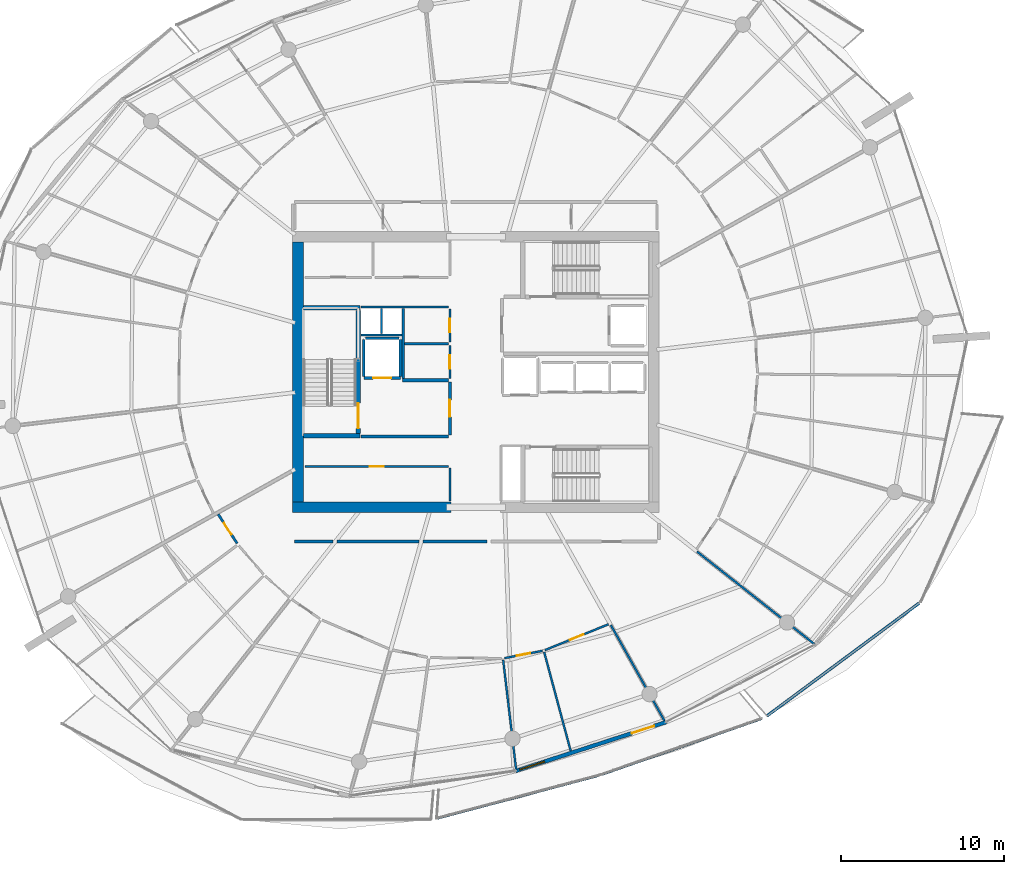
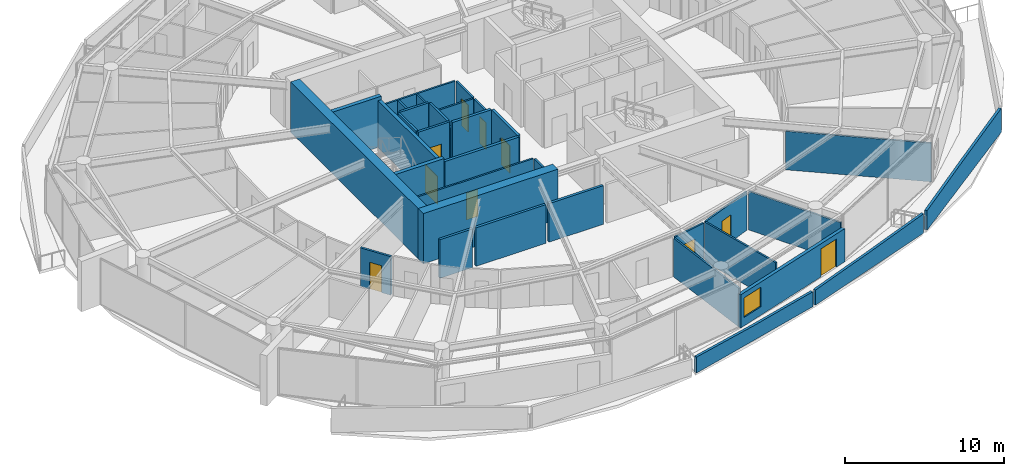
# One storey, part 19 of 31: 35 walls, 10 doors, 1 window, 11 openings.
"""IFC4 building model written with IfcOpenShell, lengths in metres."""

from ifc_helpers import new_model, si_unit, direction, frame, frame_2d, origin, place, context, subcontext, project, spatial, polyline, rectangle, outline, extrude, material, layer, layer_set, type_object, element, fill, save


model = new_model("IFC4")

# Units and contexts
model_context = context("Model", 3, precision=1e-05, world=origin(), true_north=direction((0.0, 1.0)))
body_context = subcontext(model_context, "Body", "Model", "MODEL_VIEW")
ifc_project = project(units=[si_unit("LENGTHUNIT", "METRE"), si_unit("AREAUNIT", "SQUARE_METRE"), si_unit("VOLUMEUNIT", "CUBIC_METRE"), si_unit("PLANEANGLEUNIT", "RADIAN"), si_unit("MASSUNIT", "GRAM", prefix="KILO")], contexts=[model_context])

# Site, building, storey
site_placement = place(None, origin())
site = spatial("IfcSite", under=ifc_project, at=site_placement, CompositionType="ELEMENT")
building_placement = place(site_placement, origin())
building = spatial("IfcBuilding", under=site, at=building_placement, Name="Kazma Halo Residences", CompositionType="ELEMENT")
storey_placement = place(building_placement, frame((0.0, 0.0, 248.25)))
storey = spatial("IfcBuildingStorey", under=building, at=storey_placement, Name="L62", CompositionType="ELEMENT", Elevation=248.25)

# Walls
ifc_material_1 = material(Name="White Concrete C50/60 Balustrade", Category="concrete")
ifc_layer_1 = layer(ifc_material_1, 0.179931640625)
ifc_layer_set_1 = layer_set([ifc_layer_1], Name="White Concrete C50/60 Balustrade")
wall_type_1 = type_object("IfcWallType", Name="WL-BAL-WAVE-180", PredefinedType="PARAPET", material=ifc_layer_set_1)
wall_1_placement = place(storey_placement, frame((46.006591796875, 14.52734375, 0.0), z_axis=(0.0, 0.0, 1.0), x_axis=(0.96657188746, 0.256395761219, 0.0)))
element("IfcWall", 1, at=wall_1_placement, inside=storey, type_object=wall_type_1, Name="L62 white wave balustrade wall SSE.1", PredefinedType="PARAPET", context=body_context, shape_type="SweptSolid", body=[
    extrude(outline(polyline([(0.0, 0.0), (10.281005859375, 0.0), (10.281005859375, 1.14794921875), (5.140380859375, 1.126953125), (0.0, 1.22412109375), (0.0, 0.0)])), frame((0.0, 0.08984375, 0.0), z_axis=(0.0, -1.0, 0.0), x_axis=(1.0, 0.0, 0.0)), (0.0, 0.0, 1.0), 0.179931640625),
])
wall_2_placement = place(storey_placement, frame((56.173095703125, 17.23388671875, 0.0), z_axis=(0.0, 0.0, 1.0), x_axis=(0.944003849273, 0.329934436757, 0.0)))
element("IfcWall", 2, at=wall_2_placement, inside=storey, type_object=wall_type_1, Name="L62 white wave balustrade wall SSE.2", PredefinedType="PARAPET", context=body_context, shape_type="SweptSolid", body=[
    extrude(outline(polyline([(0.0, 0.0), (10.405517578125, 0.0), (10.405517578125, 1.48291015625), (5.20263671875, 1.283935546875), (0.0, 1.14794921875), (0.0, 0.0)])), frame((0.0, 0.08984375, 0.0), z_axis=(0.0, -1.0, 0.0), x_axis=(1.0, 0.0, 0.0)), (0.0, 0.0, 1.0), 0.179931640625),
])
wall_3_placement = place(storey_placement, frame((66.318603515625, 20.815185546875, 0.0), z_axis=(0.0, 0.0, 1.0), x_axis=(0.803330402034, 0.59553359701, 0.0)))
element("IfcWall", 3, at=wall_3_placement, inside=storey, type_object=wall_type_1, Name="L62 white wave balustrade wall SE.1", PredefinedType="PARAPET", context=body_context, shape_type="SweptSolid", body=[
    extrude(outline(polyline([(0.0, 0.0), (11.673828125, 0.0), (11.673828125, 1.83203125), (5.8369140625, 1.696044921875), (0.0, 1.4970703125), (0.0, 0.0)])), frame((0.0, 0.08984375, 0.0), z_axis=(0.0, -1.0, 0.0), x_axis=(1.0, 0.0, 0.0)), (0.0, 0.0, 1.0), 0.179931640625),
])
ifc_material_2 = material(Name="Concrete C60/75", Category="concrete")
ifc_layer_2 = layer(ifc_material_2, 0.64990234375)
ifc_layer_set_2 = layer_set([ifc_layer_2], Name="Concrete C60/75")
wall_type_2 = type_object("IfcWallType", Name="WL-CORE-650", PredefinedType="SHEAR", material=ifc_layer_set_2)
wall_4_placement = place(storey_placement, frame((37.14990234375, 33.675048828125, 0.0), z_axis=(0.0, 0.0, 1.0), x_axis=(1.0, 0.0, 0.0)))
element("IfcWall", 4, at=wall_4_placement, inside=storey, type_object=wall_type_2, Name="L62 central core shear wall SW", PredefinedType="SHEAR", context=body_context, shape_type="SweptSolid", body=[
    extrude(rectangle(XDim=9.75, YDim=0.64990234375, at=frame_2d((4.875, 0.0))), origin(), (0.0, 0.0, 1.0), 3.85009765625),
])
wall_5_placement = place(storey_placement, frame((37.47509765625, 34.0, 0.0), z_axis=(0.0, 0.0, 1.0), x_axis=(0.0, 1.0, 0.0)))
element("IfcWall", 5, at=wall_5_placement, inside=storey, type_object=wall_type_2, Name="L62 central core shear wall W", PredefinedType="SHEAR", context=body_context, shape_type="SweptSolid", body=[
    extrude(rectangle(XDim=16.0, YDim=0.64990234375, at=frame_2d((8.0, 0.0))), origin(), (0.0, 0.0, 1.0), 3.85009765625),
])
ifc_layer_3 = layer(ifc_material_2, 0.280029296875)
ifc_layer_set_3 = layer_set([ifc_layer_3], Name="Concrete C60/75")
wall_type_3 = type_object("IfcWallType", Name="WL-CORE-ST-280", PredefinedType="SHEAR", material=ifc_layer_set_3)
for number, where, z_axis, x_axis, name in (
    (6, (37.800048828125, 38.06005859375, 0.0), (0.0, 0.0, 1.0), (1.0, 0.0, 0.0), "L62 stairwell bearing wall ST01-S"),
    (7, (37.800048828125, 45.93994140625, 0.0), (0.0, 0.0, 1.0), (1.0, 0.0, 0.0), "L62 stairwell bearing wall ST01-N"),
):
    element("IfcWall", number, at=place(storey_placement, frame(where, z_axis=z_axis, x_axis=x_axis)), inside=storey, type_object=wall_type_3, Name=name, PredefinedType="SHEAR", context=body_context, shape_type="SweptSolid", body=[
        extrude(rectangle(XDim=3.5, YDim=0.280029296875, at=frame_2d((1.75, 0.0))), origin(), (0.0, 0.0, 1.0), 3.85009765625),
    ])
ifc_material_3 = material(Name="Acoustic Twin-Stud Gypsum")
ifc_layer_4 = layer(ifc_material_3, 0.179931640625)
ifc_layer_set_4 = layer_set([ifc_layer_4], Name="Acoustic Twin-Stud Gypsum")
wall_type_4 = type_object("IfcWallType", Name="WL-DEM-180", PredefinedType="PARTITIONING", material=ifc_layer_set_4)
wall_6_placement = place(storey_placement, frame((37.27001953125, 31.550048828125, 0.0), z_axis=(0.0, 0.0, 1.0), x_axis=(1.0, 0.0, 0.0)))
element("IfcWall", 8, at=wall_6_placement, inside=storey, type_object=wall_type_4, Name="L62 Apartment 2 inner wall 8", PredefinedType="PARTITIONING", context=body_context, shape_type="SweptSolid", body=[
    extrude(rectangle(XDim=2.371826171875, YDim=0.179931640625, at=frame_2d((1.18603515625, 0.0))), origin(), (0.0, 0.0, 1.0), 2.95703125),
])
wall_7_placement = place(storey_placement, frame((39.8818359375, 31.550048828125, 0.0), z_axis=(0.0, 0.0, 1.0), x_axis=(1.0, 0.0, 0.0)))
element("IfcWall", 9, at=wall_7_placement, inside=storey, type_object=wall_type_4, Name="L62 Apartment 2 inner wall 9", PredefinedType="PARTITIONING", context=body_context, shape_type="SweptSolid", body=[
    extrude(rectangle(XDim=5.051025390625, YDim=0.179931640625, at=frame_2d((2.525390625, 0.0))), origin(), (0.0, 0.0, 1.0), 2.95703125),
])
wall_8_placement = place(storey_placement, frame((45.1728515625, 31.550048828125, 0.0), z_axis=(0.0, 0.0, 1.0), x_axis=(1.0, 0.0, 0.0)))
element("IfcWall", 10, at=wall_8_placement, inside=storey, type_object=wall_type_4, Name="L62 Apartment 2 inner wall 10", PredefinedType="PARTITIONING", context=body_context, shape_type="SweptSolid", body=[
    extrude(rectangle(XDim=3.94384765625, YDim=0.179931640625, at=frame_2d((1.971923828125, 0.0))), origin(), (0.0, 0.0, 1.0), 2.95703125),
])

# Wall, openings, door, window
ifc_material_4 = material(Name="Insulated Pale-Metal Composite Wall")
ifc_layer_5 = layer(ifc_material_4, 0.239990234375)
ifc_layer_set_5 = layer_set([ifc_layer_5], Name="Insulated Pale-Metal Composite Wall")
wall_type_5 = type_object("IfcWallType", Name="WL-EXT-HOST-240", PredefinedType="SOLIDWALL", material=ifc_layer_set_5)
wall_9_placement = place(storey_placement, frame((50.85791015625, 17.436279296875, 0.0), z_axis=(0.0, 0.0, 1.0), x_axis=(0.951055974609, 0.309018661507, 0.0)))
wall_9 = element("IfcWall", 11, at=wall_9_placement, inside=storey, type_object=wall_type_5, Name="L62 exterior terrace-access wall B12", PredefinedType="SOLIDWALL", context=body_context, shape_type="SweptSolid", body=[
    extrude(rectangle(XDim=9.745361328125, YDim=0.239990234375, at=frame_2d((4.87255859375, 0.0))), origin(), (0.0, 0.0, 1.0), 2.5400390625),
])
opening_1_placement = place(wall_9_placement, frame((7.525390625, 0.0, 0.0)))
opening_1 = element("IfcOpeningElement", 12, at=opening_1_placement, cuts=wall_9, Name="Opening DTR-1600", PredefinedType="OPENING", context=body_context, shape_type="SweptSolid", body=[
    extrude(rectangle(XDim=1.449951171875, YDim=2.14990234375, at=frame_2d((0.72509765625, 1.074951171875))), frame((0.0, 0.1298828125, 0.0), z_axis=(0.0, -1.0, 0.0), x_axis=(1.0, 0.0, 0.0)), (0.0, 0.0, 1.0), 0.260009765625),
])
opening_2_placement = place(wall_9_placement, frame((0.280029296875, 0.0, 0.64990234375)))
opening_2 = element("IfcOpeningElement", 13, at=opening_2_placement, cuts=wall_9, Name="Opening W-1800", PredefinedType="OPENING", context=body_context, shape_type="SweptSolid", body=[
    extrude(rectangle(XDim=1.60009765625, YDim=1.5, at=frame_2d((0.800048828125, 0.75))), frame((0.0, 0.1298828125, 0.0), z_axis=(0.0, -1.0, 0.0), x_axis=(1.0, 0.0, 0.0)), (0.0, 0.0, 1.0), 0.260009765625),
])
ifc_material_5 = material(Name="Aluminium AW-6063 T6 Double-Glazed Terrace Door", Category="aluminium")
door_type_1 = type_object("IfcDoorType", Name="DR-EXT-TERR-1600", OperationType="NOTDEFINED", PredefinedType="DOOR", material=ifc_material_5)
door_1_placement = place(opening_1_placement, origin())
door_1 = element("IfcDoor", 14, at=door_1_placement, inside=storey, type_object=door_type_1, Name="L62 B12 balcony terrace door", OperationType="DOUBLE_DOOR_SLIDING", OverallHeight=2.14990234375, OverallWidth=1.449951171875, PredefinedType="DOOR", context=body_context, shape_type="SweptSolid", body=[
    extrude(rectangle(XDim=1.449951171875, YDim=2.14990234375, at=frame_2d((0.72509765625, 1.074951171875))), frame((0.0, 0.02490234375, 0.0), z_axis=(0.0, -1.0, 0.0), x_axis=(1.0, 0.0, 0.0)), (0.0, 0.0, 1.0), 0.050048828125),
])
fill(opening_1, door_1)
ifc_material_6 = material(Name="Clear Triple-Silver Low-E Glass in Aluminium AW-6063 T6 Frame", Category="aluminium")
window_type = type_object("IfcWindowType", Name="WIN-RES-1800", PartitioningType="DOUBLE_PANEL_VERTICAL", PredefinedType="WINDOW", material=ifc_material_6)
window_placement = place(opening_2_placement, origin())
window = element("IfcWindow", 15, at=window_placement, inside=storey, type_object=window_type, Name="L62 B12 apartment window", OverallHeight=1.5, OverallWidth=1.60009765625, PartitioningType="SINGLE_PANEL", PredefinedType="WINDOW", context=body_context, shape_type="SweptSolid", body=[
    extrude(rectangle(XDim=1.60009765625, YDim=1.5, at=frame_2d((0.800048828125, 0.75))), frame((0.0, 0.030029296875, 0.0), z_axis=(0.0, -1.0, 0.0), x_axis=(1.0, 0.0, 0.0)), (0.0, 0.0, 1.0), 0.06005859375),
])
fill(opening_2, window)

# Wall, opening, door
ifc_material_7 = material(Name="Fire-Rated Blockwork Masonry", Category="masonry")
ifc_layer_6 = layer(ifc_material_7, 0.199951171875)
ifc_layer_set_6 = layer_set([ifc_layer_6], Name="Fire-Rated Blockwork Masonry")
wall_type_6 = type_object("IfcWallType", Name="WL-FLB-200", PredefinedType="PARTITIONING", material=ifc_layer_set_6)
wall_10_placement = place(storey_placement, frame((43.780029296875, 41.6201171875, 0.0), z_axis=(0.0, 0.0, 1.0), x_axis=(-1.0, 0.0, 0.0)))
wall_10 = element("IfcWall", 16, at=wall_10_placement, inside=storey, type_object=wall_type_6, Name="L62 lift shaft FL-01 front wall", PredefinedType="PARTITIONING", context=body_context, shape_type="SweptSolid", body=[
    extrude(rectangle(XDim=2.260009765625, YDim=0.159912109375, at=frame_2d((1.1298828125, 0.0))), origin(), (0.0, 0.0, 1.0), 3.590087890625),
])
opening_3_placement = place(wall_10_placement, frame((0.580078125, 0.0, 0.0)))
opening_3 = element("IfcOpeningElement", 17, at=opening_3_placement, cuts=wall_10, Name="Opening LD-FL-01", PredefinedType="OPENING", context=body_context, shape_type="SweptSolid", body=[
    extrude(rectangle(XDim=1.10009765625, YDim=2.10009765625, at=frame_2d((0.550048828125, 1.050048828125))), frame((0.0, 0.08984375, 0.0), z_axis=(0.0, -1.0, 0.0), x_axis=(1.0, 0.0, 0.0)), (0.0, 0.0, 1.0), 0.179931640625),
])
ifc_material_8 = material(Name="Stainless Steel Fire-Rated", Category="steel")
door_type_2 = type_object("IfcDoorType", Name="DR-LIFT-SLD-1100", OperationType="DOUBLE_DOOR_SLIDING", PredefinedType="DOOR", material=ifc_material_8)
door_2_placement = place(opening_3_placement, origin())
door_2 = element("IfcDoor", 18, at=door_2_placement, inside=storey, type_object=door_type_2, Name="L62 lift FL-01 sliding landing door", OperationType="DOUBLE_DOOR_SLIDING", OverallHeight=2.10009765625, OverallWidth=1.10009765625, PredefinedType="DOOR", context=body_context, shape_type="SweptSolid", body=[
    extrude(rectangle(XDim=1.10009765625, YDim=2.10009765625, at=frame_2d((0.550048828125, 1.050048828125))), frame((0.0, 0.02490234375, 0.0), z_axis=(0.0, -1.0, 0.0), x_axis=(1.0, 0.0, 0.0)), (0.0, 0.0, 1.0), 0.050048828125),
])
fill(opening_3, door_2)

# Walls
for number, where, z_axis, x_axis, name in (
    (19, (43.780029296875, 41.719970703125, 0.0), (0.0, 0.0, 1.0), (0.0, 1.0, 0.0), "L62 lift shaft FL-01 side wall E"),
    (20, (41.52001953125, 41.719970703125, 0.0), (0.0, 0.0, 1.0), (0.0, 1.0, 0.0), "L62 lift shaft FL-01 side wall W"),
):
    element("IfcWall", number, at=place(storey_placement, frame(where, z_axis=z_axis, x_axis=x_axis)), inside=storey, type_object=wall_type_6, Name=name, PredefinedType="PARTITIONING", context=body_context, shape_type="SweptSolid", body=[
        extrude(rectangle(XDim=2.260009765625, YDim=0.159912109375, at=frame_2d((1.1298828125, 0.0))), origin(), (0.0, 0.0, 1.0), 3.590087890625),
    ])
wall_11_placement = place(storey_placement, frame((41.6201171875, 44.080078125, 0.0), z_axis=(0.0, 0.0, 1.0), x_axis=(1.0, 0.0, 0.0)))
element("IfcWall", 21, at=wall_11_placement, inside=storey, type_object=wall_type_6, Name="L62 lift shaft FL-01 side wall N", PredefinedType="PARTITIONING", context=body_context, shape_type="SweptSolid", body=[
    extrude(rectangle(XDim=2.059814453125, YDim=0.159912109375, at=frame_2d((1.02978515625, 0.0))), origin(), (0.0, 0.0, 1.0), 3.590087890625),
])
wall_12_placement = place(storey_placement, frame((41.35009765625, 38.02001953125, 0.0), z_axis=(0.0, 0.0, 1.0), x_axis=(1.0, 0.0, 0.0)))
element("IfcWall", 22, at=wall_12_placement, inside=storey, type_object=wall_type_6, Name="L62 west firefighting lobby south smoke wall", PredefinedType="PARTITIONING", context=body_context, shape_type="SweptSolid", body=[
    extrude(rectangle(XDim=5.369873046875, YDim=0.199951171875, at=frame_2d((2.68505859375, 0.0))), origin(), (0.0, 0.0, 1.0), 3.590087890625),
])
wall_13_placement = place(storey_placement, frame((43.919921875, 41.47998046875, 0.0), z_axis=(0.0, 0.0, 1.0), x_axis=(1.0, 0.0, 0.0)))
element("IfcWall", 23, at=wall_13_placement, inside=storey, type_object=wall_type_6, Name="L62 west firefighting lobby north smoke wall", PredefinedType="PARTITIONING", context=body_context, shape_type="SweptSolid", body=[
    extrude(rectangle(XDim=2.800048828125, YDim=0.199951171875, at=frame_2d((1.39990234375, 0.0))), origin(), (0.0, 0.0, 1.0), 3.590087890625),
])

# Wall, opening, door
wall_14_placement = place(storey_placement, frame((46.820068359375, 38.1201171875, 0.0), z_axis=(0.0, 0.0, 1.0), x_axis=(0.0, 1.0, 0.0)))
wall_14 = element("IfcWall", 24, at=wall_14_placement, inside=storey, type_object=wall_type_6, Name="L62 west firefighting lobby smoke wall", PredefinedType="PARTITIONING", context=body_context, shape_type="SweptSolid", body=[
    extrude(rectangle(XDim=3.259765625, YDim=0.199951171875, at=frame_2d((1.6298828125, 0.0))), origin(), (0.0, 0.0, 1.0), 3.590087890625),
])
opening_4_placement = place(wall_14_placement, frame((1.10498046875, 0.0, 0.0)))
opening_4 = element("IfcOpeningElement", 25, at=opening_4_placement, cuts=wall_14, Name="Opening D-FLW", PredefinedType="OPENING", context=body_context, shape_type="SweptSolid", body=[
    extrude(rectangle(XDim=1.050048828125, YDim=2.10009765625, at=frame_2d((0.52490234375, 1.050048828125))), frame((0.0, 0.10986328125, 0.0), z_axis=(0.0, -1.0, 0.0), x_axis=(1.0, 0.0, 0.0)), (0.0, 0.0, 1.0), 0.219970703125),
])
ifc_material_9 = material(Name="Fire-Rated Steel Leaf", Category="steel")
door_type_3 = type_object("IfcDoorType", Name="DR-FD90-1050", OperationType="NOTDEFINED", PredefinedType="DOOR", material=ifc_material_9)
door_3_placement = place(opening_4_placement, origin())
door_3 = element("IfcDoor", 26, at=door_3_placement, inside=storey, type_object=door_type_3, Name="L62 west firefighting lobby smoke door", OperationType="SINGLE_SWING_LEFT", OverallHeight=2.10009765625, OverallWidth=1.050048828125, PredefinedType="DOOR", context=body_context, shape_type="SweptSolid", body=[
    extrude(rectangle(XDim=1.050048828125, YDim=2.10009765625, at=frame_2d((0.52490234375, 1.050048828125))), frame((0.0, 0.02490234375, 0.0), z_axis=(0.0, -1.0, 0.0), x_axis=(1.0, 0.0, 0.0)), (0.0, 0.0, 1.0), 0.050048828125),
])
fill(opening_4, door_3)

# Wall
ifc_material_10 = material(Name="Gypsum Plasterboard Partition")
ifc_layer_7 = layer(ifc_material_10, 0.125)
ifc_layer_set_7 = layer_set([ifc_layer_7], Name="Gypsum Plasterboard Partition")
wall_type_7 = type_object("IfcWallType", Name="WL-PART-125", PredefinedType="PARTITIONING", material=ifc_layer_set_7)
wall_15_placement = place(storey_placement, frame((46.820068359375, 34.050048828125, 0.0), z_axis=(0.0, 0.0, 1.0), x_axis=(0.0, 1.0, 0.0)))
element("IfcWall", 27, at=wall_15_placement, inside=storey, type_object=wall_type_7, Name="L62 reclaimed south east wall", PredefinedType="PARTITIONING", context=body_context, shape_type="SweptSolid", body=[
    extrude(rectangle(XDim=2.030029296875, YDim=0.125, at=frame_2d((1.01513671875, 0.0))), origin(), (0.0, 0.0, 1.0), 3.030029296875),
])

# Wall, opening, door
wall_16_placement = place(storey_placement, frame((37.919921875, 36.179931640625, 0.0), z_axis=(0.0, 0.0, 1.0), x_axis=(1.0, 0.0, 0.0)))
wall_16 = element("IfcWall", 28, at=wall_16_placement, inside=storey, type_object=wall_type_7, Name="L62 reclaimed south front wall", PredefinedType="PARTITIONING", context=body_context, shape_type="SweptSolid", body=[
    extrude(rectangle(XDim=8.800048828125, YDim=0.125, at=frame_2d((4.39990234375, 0.0))), origin(), (0.0, 0.0, 1.0), 3.030029296875),
])
opening_5_placement = place(wall_16_placement, frame((3.97509765625, 0.0, 0.0)))
opening_5 = element("IfcOpeningElement", 29, at=opening_5_placement, cuts=wall_16, Name="Opening DS-850", PredefinedType="OPENING", context=body_context, shape_type="SweptSolid", body=[
    extrude(rectangle(XDim=0.85009765625, YDim=2.06005859375, at=frame_2d((0.425048828125, 1.030029296875))), frame((0.0, 0.072509765625, 0.0), z_axis=(0.0, -1.0, 0.0), x_axis=(1.0, 0.0, 0.0)), (0.0, 0.0, 1.0), 0.14501953125),
])
ifc_material_11 = material(Name="Painted Steel Access Leaf", Category="steel")
door_type_4 = type_object("IfcDoorType", Name="DR-SVC-850", OperationType="NOTDEFINED", PredefinedType="DOOR", material=ifc_material_11)
door_4_placement = place(opening_5_placement, origin())
door_4 = element("IfcDoor", 30, at=door_4_placement, inside=storey, type_object=door_type_4, Name="L62 reclaimed south service door", OperationType="SINGLE_SWING_LEFT", OverallHeight=2.06005859375, OverallWidth=0.85009765625, PredefinedType="DOOR", context=body_context, shape_type="SweptSolid", body=[
    extrude(rectangle(XDim=0.85009765625, YDim=2.06005859375, at=frame_2d((0.425048828125, 1.030029296875))), frame((0.0, 0.02490234375, 0.0), z_axis=(0.0, -1.0, 0.0), x_axis=(1.0, 0.0, 0.0)), (0.0, 0.0, 1.0), 0.050048828125),
])
fill(opening_5, door_4)

# Walls
wall_17_placement = place(storey_placement, frame((41.360107421875, 45.97998046875, 0.0), z_axis=(0.0, 0.0, 1.0), x_axis=(1.0, 0.0, 0.0)))
element("IfcWall", 31, at=wall_17_placement, inside=storey, type_object=wall_type_7, Name="L62 core north riser wall", PredefinedType="PARTITIONING", context=body_context, shape_type="SweptSolid", body=[
    extrude(rectangle(XDim=5.35986328125, YDim=0.125, at=frame_2d((2.679931640625, 0.0))), origin(), (0.0, 0.0, 1.0), 3.030029296875),
])
wall_18_placement = place(storey_placement, frame((41.360107421875, 44.260009765625, 0.0), z_axis=(0.0, 0.0, 1.0), x_axis=(1.0, 0.0, 0.0)))
element("IfcWall", 32, at=wall_18_placement, inside=storey, type_object=wall_type_7, Name="L62 core riser south wall", PredefinedType="PARTITIONING", context=body_context, shape_type="SweptSolid", body=[
    extrude(rectangle(XDim=2.5, YDim=0.125, at=frame_2d((1.25, 0.0))), origin(), (0.0, 0.0, 1.0), 3.030029296875),
])
wall_19_placement = place(storey_placement, frame((42.60009765625, 44.35009765625, 0.0), z_axis=(0.0, 0.0, 1.0), x_axis=(0.0, 1.0, 0.0)))
element("IfcWall", 33, at=wall_19_placement, inside=storey, type_object=wall_type_7, Name="L62 core riser divider wall", PredefinedType="PARTITIONING", context=body_context, shape_type="SweptSolid", body=[
    extrude(rectangle(XDim=1.5498046875, YDim=0.125, at=frame_2d((0.77490234375, 0.0))), origin(), (0.0, 0.0, 1.0), 3.030029296875),
])
wall_20_placement = place(storey_placement, frame((43.949951171875, 41.580078125, 0.0), z_axis=(0.0, 0.0, 1.0), x_axis=(0.0, 1.0, 0.0)))
element("IfcWall", 34, at=wall_20_placement, inside=storey, type_object=wall_type_7, Name="L62 core service west wall", PredefinedType="PARTITIONING", context=body_context, shape_type="SweptSolid", body=[
    extrude(rectangle(XDim=4.31982421875, YDim=0.125, at=frame_2d((2.159912109375, 0.0))), origin(), (0.0, 0.0, 1.0), 3.030029296875),
])
wall_21_placement = place(storey_placement, frame((44.030029296875, 43.72998046875, 0.0), z_axis=(0.0, 0.0, 1.0), x_axis=(1.0, 0.0, 0.0)))
element("IfcWall", 35, at=wall_21_placement, inside=storey, type_object=wall_type_7, Name="L62 switch/IDF divider", PredefinedType="PARTITIONING", context=body_context, shape_type="SweptSolid", body=[
    extrude(rectangle(XDim=2.7099609375, YDim=0.125, at=frame_2d((1.35498046875, 0.0))), origin(), (0.0, 0.0, 1.0), 3.030029296875),
])

# Wall, opening, door
wall_22_placement = place(storey_placement, frame((46.820068359375, 41.580078125, 0.0), z_axis=(0.0, 0.0, 1.0), x_axis=(0.0, 1.0, 0.0)))
wall_22 = element("IfcWall", 36, at=wall_22_placement, inside=storey, type_object=wall_type_7, Name="L62 electrical switch room east wall", PredefinedType="PARTITIONING", context=body_context, shape_type="SweptSolid", body=[
    extrude(rectangle(XDim=2.0498046875, YDim=0.125, at=frame_2d((1.02490234375, 0.0))), origin(), (0.0, 0.0, 1.0), 3.030029296875),
])
opening_6_placement = place(wall_22_placement, frame((0.60009765625, 0.0, 0.0)))
opening_6 = element("IfcOpeningElement", 37, at=opening_6_placement, cuts=wall_22, Name="Opening DS-850", PredefinedType="OPENING", context=body_context, shape_type="SweptSolid", body=[
    extrude(rectangle(XDim=0.85009765625, YDim=2.06005859375, at=frame_2d((0.425048828125, 1.030029296875))), frame((0.0, 0.072509765625, 0.0), z_axis=(0.0, -1.0, 0.0), x_axis=(1.0, 0.0, 0.0)), (0.0, 0.0, 1.0), 0.14501953125),
])
door_5_placement = place(opening_6_placement, origin())
door_5 = element("IfcDoor", 38, at=door_5_placement, inside=storey, type_object=door_type_4, Name="L62 electrical switch room door", OperationType="SINGLE_SWING_LEFT", OverallHeight=2.06005859375, OverallWidth=0.85009765625, PredefinedType="DOOR", context=body_context, shape_type="SweptSolid", body=[
    extrude(rectangle(XDim=0.85009765625, YDim=2.06005859375, at=frame_2d((0.425048828125, 1.030029296875))), frame((0.0, 0.02490234375, 0.0), z_axis=(0.0, -1.0, 0.0), x_axis=(1.0, 0.0, 0.0)), (0.0, 0.0, 1.0), 0.050048828125),
])
fill(opening_6, door_5)

wall_23_placement = place(storey_placement, frame((46.820068359375, 43.830078125, 0.0), z_axis=(0.0, 0.0, 1.0), x_axis=(0.0, 1.0, 0.0)))
wall_23 = element("IfcWall", 39, at=wall_23_placement, inside=storey, type_object=wall_type_7, Name="L62 telecom IDF room east wall", PredefinedType="PARTITIONING", context=body_context, shape_type="SweptSolid", body=[
    extrude(rectangle(XDim=2.0498046875, YDim=0.125, at=frame_2d((1.02490234375, 0.0))), origin(), (0.0, 0.0, 1.0), 3.030029296875),
])
opening_7_placement = place(wall_23_placement, frame((0.60009765625, 0.0, 0.0)))
opening_7 = element("IfcOpeningElement", 40, at=opening_7_placement, cuts=wall_23, Name="Opening DS-850", PredefinedType="OPENING", context=body_context, shape_type="SweptSolid", body=[
    extrude(rectangle(XDim=0.85009765625, YDim=2.06005859375, at=frame_2d((0.425048828125, 1.030029296875))), frame((0.0, 0.072509765625, 0.0), z_axis=(0.0, -1.0, 0.0), x_axis=(1.0, 0.0, 0.0)), (0.0, 0.0, 1.0), 0.14501953125),
])
door_6_placement = place(opening_7_placement, origin())
door_6 = element("IfcDoor", 41, at=door_6_placement, inside=storey, type_object=door_type_4, Name="L62 telecom IDF room door", OperationType="SINGLE_SWING_RIGHT", OverallHeight=2.06005859375, OverallWidth=0.85009765625, PredefinedType="DOOR", context=body_context, shape_type="SweptSolid", body=[
    extrude(rectangle(XDim=0.85009765625, YDim=2.06005859375, at=frame_2d((0.425048828125, 1.030029296875))), frame((0.0, 0.02490234375, 0.0), z_axis=(0.0, -1.0, 0.0), x_axis=(1.0, 0.0, 0.0)), (0.0, 0.0, 1.0), 0.050048828125),
])
fill(opening_7, door_6)

# Walls
wall_24_placement = place(storey_placement, frame((50.098876953125, 24.266845703125, 0.0), z_axis=(0.0, 0.0, 1.0), x_axis=(0.117541429875, -0.993067979679, 0.0)))
element("IfcWall", 42, at=wall_24_placement, inside=storey, type_object=wall_type_7, Name="L62 Apartment 2 radial partition 11", PredefinedType="PARTITIONING", context=body_context, shape_type="SweptSolid", body=[
    extrude(rectangle(XDim=6.837646484375, YDim=0.125, at=frame_2d((3.4189453125, 0.0))), origin(), (0.0, 0.0, 1.0), 2.95703125),
])
wall_25_placement = place(storey_placement, frame((56.725341796875, 26.419921875, 0.0), z_axis=(0.0, 0.0, 1.0), x_axis=(0.488624332812, -0.872494275846, 0.0)))
element("IfcWall", 43, at=wall_25_placement, inside=storey, type_object=wall_type_7, Name="L62 Apartment 2 living radial partition 11", PredefinedType="PARTITIONING", context=body_context, shape_type="SweptSolid", body=[
    extrude(rectangle(XDim=6.73779296875, YDim=0.125, at=frame_2d((3.368896484375, 0.0))), origin(), (0.0, 0.0, 1.0), 2.95703125),
])
wall_26_placement = place(storey_placement, frame((52.621337890625, 24.76171875, 0.0), z_axis=(0.0, 0.0, 1.0), x_axis=(0.258970884365, -0.96588512829, 0.0)))
element("IfcWall", 44, at=wall_26_placement, inside=storey, type_object=wall_type_7, Name="L62 Apartment 2 mid-bay wall 11", PredefinedType="PARTITIONING", context=body_context, shape_type="SweptSolid", body=[
    extrude(rectangle(XDim=6.305908203125, YDim=0.125, at=frame_2d((3.15283203125, 0.0))), origin(), (0.0, 0.0, 1.0), 3.030029296875),
])

# Wall, opening, door
wall_27_placement = place(storey_placement, frame((50.185302734375, 24.385009765625, 0.0), z_axis=(0.0, 0.0, 1.0), x_axis=(0.982037935844, 0.188683577884, 0.0)))
wall_27 = element("IfcWall", 45, at=wall_27_placement, inside=storey, type_object=wall_type_7, Name="L62 Apartment 2 Outer Dressing Wardrobe hall wall", PredefinedType="PARTITIONING", context=body_context, shape_type="SweptSolid", body=[
    extrude(rectangle(XDim=2.376953125, YDim=0.125, at=frame_2d((1.1884765625, 0.0))), origin(), (0.0, 0.0, 1.0), 2.95703125),
])
opening_8_placement = place(wall_27_placement, frame((0.763427734375, 0.0, 0.0)))
opening_8 = element("IfcOpeningElement", 46, at=opening_8_placement, cuts=wall_27, Name="Opening DB-900", PredefinedType="OPENING", context=body_context, shape_type="SweptSolid", body=[
    extrude(rectangle(XDim=0.85009765625, YDim=2.06005859375, at=frame_2d((0.425048828125, 1.030029296875))), frame((0.0, 0.072509765625, 0.0), z_axis=(0.0, -1.0, 0.0), x_axis=(1.0, 0.0, 0.0)), (0.0, 0.0, 1.0), 0.14501953125),
])
ifc_material_12 = material(Name="Moisture-Sealed Timber Leaf", Category="wood")
door_type_5 = type_object("IfcDoorType", Name="DR-BTH-900", OperationType="NOTDEFINED", PredefinedType="DOOR", material=ifc_material_12)
door_7_placement = place(opening_8_placement, origin())
door_7 = element("IfcDoor", 47, at=door_7_placement, inside=storey, type_object=door_type_5, Name="L62 Apartment 2 Outer Dressing Wardrobe door", OperationType="SINGLE_SWING_RIGHT", OverallHeight=2.06005859375, OverallWidth=0.85009765625, PredefinedType="DOOR", context=body_context, shape_type="SweptSolid", body=[
    extrude(rectangle(XDim=0.85009765625, YDim=2.06005859375, at=frame_2d((0.425048828125, 1.030029296875))), frame((0.0, 0.02490234375, 0.0), z_axis=(0.0, -1.0, 0.0), x_axis=(1.0, 0.0, 0.0)), (0.0, 0.0, 1.0), 0.050048828125),
])
fill(opening_8, door_7)

wall_28_placement = place(storey_placement, frame((52.672119140625, 24.87890625, 0.0), z_axis=(0.0, 0.0, 1.0), x_axis=(0.926344303187, 0.376677888857, 0.0)))
wall_28 = element("IfcWall", 48, at=wall_28_placement, inside=storey, type_object=wall_type_7, Name="L62 Apartment 2 Corner Master Bedroom hall wall", PredefinedType="PARTITIONING", context=body_context, shape_type="SweptSolid", body=[
    extrude(rectangle(XDim=4.22265625, YDim=0.125, at=frame_2d((2.111328125, 0.0))), origin(), (0.0, 0.0, 1.0), 2.95703125),
])
opening_9_placement = place(wall_28_placement, frame((1.661376953125, 0.0, 0.0)))
opening_9 = element("IfcOpeningElement", 49, at=opening_9_placement, cuts=wall_28, Name="Opening DI-950", PredefinedType="OPENING", context=body_context, shape_type="SweptSolid", body=[
    extrude(rectangle(XDim=0.89990234375, YDim=2.080078125, at=frame_2d((0.449951171875, 1.0400390625))), frame((0.0, 0.072509765625, 0.0), z_axis=(0.0, -1.0, 0.0), x_axis=(1.0, 0.0, 0.0)), (0.0, 0.0, 1.0), 0.14501953125),
])
ifc_material_13 = material(Name="Timber Veneer Flush Leaf", Category="wood")
door_type_6 = type_object("IfcDoorType", Name="DR-INT-950", OperationType="NOTDEFINED", PredefinedType="DOOR", material=ifc_material_13)
door_8_placement = place(opening_9_placement, origin())
door_8 = element("IfcDoor", 50, at=door_8_placement, inside=storey, type_object=door_type_6, Name="L62 Apartment 2 Corner Master Bedroom door", OperationType="SINGLE_SWING_LEFT", OverallHeight=2.080078125, OverallWidth=0.89990234375, PredefinedType="DOOR", context=body_context, shape_type="SweptSolid", body=[
    extrude(rectangle(XDim=0.89990234375, YDim=2.080078125, at=frame_2d((0.449951171875, 1.0400390625))), frame((0.0, 0.02490234375, 0.0), z_axis=(0.0, -1.0, 0.0), x_axis=(1.0, 0.0, 0.0)), (0.0, 0.0, 1.0), 0.050048828125),
])
fill(opening_9, door_8)

# Wall
wall_29_placement = place(storey_placement, frame((62.0234375, 30.94482421875, 0.0), z_axis=(0.0, 0.0, 1.0), x_axis=(0.785322102606, -0.619087388952, 0.0)))
element("IfcWall", 51, at=wall_29_placement, inside=storey, type_object=wall_type_7, Name="L62 Apartment 2 radial partition 13", PredefinedType="PARTITIONING", context=body_context, shape_type="SweptSolid", body=[
    extrude(rectangle(XDim=9.2275390625, YDim=0.125, at=frame_2d((4.61376953125, 0.0))), origin(), (0.0, 0.0, 1.0), 2.95703125),
])

# Wall, opening, door
ifc_material_14 = material(Name="Concrete C50/60", Category="concrete")
ifc_layer_8 = layer(ifc_material_14, 0.25)
ifc_layer_set_8 = layer_set([ifc_layer_8], Name="Concrete C50/60")
wall_type_8 = type_object("IfcWallType", Name="WL-SHF-250", PredefinedType="SOLIDWALL", material=ifc_layer_set_8)
wall_30_placement = place(storey_placement, frame((41.179931640625, 38.219970703125, 0.0), z_axis=(0.0, 0.0, 1.0), x_axis=(0.0, 1.0, 0.0)))
wall_30 = element("IfcWall", 52, at=wall_30_placement, inside=storey, type_object=wall_type_8, Name="L62 exit stair ST-01 enclosure wall", PredefinedType="SOLIDWALL", context=body_context, shape_type="SweptSolid", body=[
    extrude(rectangle(XDim=7.56005859375, YDim=0.25, at=frame_2d((3.780029296875, 0.0))), origin(), (0.0, 0.0, 1.0), 3.590087890625),
])
opening_10_placement = place(wall_30_placement, frame((0.300048828125, 0.0, 0.0)))
opening_10 = element("IfcOpeningElement", 53, at=opening_10_placement, cuts=wall_30, Name="Opening D-ST1", PredefinedType="OPENING", context=body_context, shape_type="SweptSolid", body=[
    extrude(rectangle(XDim=1.550048828125, YDim=2.14990234375, at=frame_2d((0.77490234375, 1.074951171875))), frame((0.0, 0.135009765625, 0.0), z_axis=(0.0, -1.0, 0.0), x_axis=(1.0, 0.0, 0.0)), (0.0, 0.0, 1.0), 0.27001953125),
])
ifc_material_15 = material(Name="Fire-Rated Double Steel Leaf", Category="steel")
door_type_7 = type_object("IfcDoorType", Name="DR-FD90-1550", OperationType="NOTDEFINED", PredefinedType="DOOR", material=ifc_material_15)
door_9_placement = place(opening_10_placement, origin())
door_9 = element("IfcDoor", 54, at=door_9_placement, inside=storey, type_object=door_type_7, Name="L62 exit stair ST-01 fire door", OperationType="DOUBLE_DOOR_SINGLE_SWING", OverallHeight=2.14990234375, OverallWidth=1.550048828125, PredefinedType="DOOR", context=body_context, shape_type="SweptSolid", body=[
    extrude(rectangle(XDim=1.550048828125, YDim=2.14990234375, at=frame_2d((0.77490234375, 1.074951171875))), frame((0.0, 0.02490234375, 0.0), z_axis=(0.0, -1.0, 0.0), x_axis=(1.0, 0.0, 0.0)), (0.0, 0.0, 1.0), 0.050048828125),
])
fill(opening_10, door_9)

ifc_material_16 = material(Name="Moisture-Resistant Gypsum")
ifc_layer_9 = layer(ifc_material_16, 0.14990234375)
ifc_layer_set_9 = layer_set([ifc_layer_9], Name="Moisture-Resistant Gypsum")
wall_type_9 = type_object("IfcWallType", Name="WL-WET-150", PredefinedType="PARTITIONING", material=ifc_layer_set_9)
wall_31_placement = place(storey_placement, frame((32.5615234375, 33.23974609375, 0.0), z_axis=(0.0, 0.0, 1.0), x_axis=(0.544888302375, -0.838508639154, 0.0)))
wall_31 = element("IfcWall", 55, at=wall_31_placement, inside=storey, type_object=wall_type_9, Name="L62 Apartment 2 Guest Bathroom hall wall", PredefinedType="PARTITIONING", context=body_context, shape_type="SweptSolid", body=[
    extrude(rectangle(XDim=2.144287109375, YDim=0.14990234375, at=frame_2d((1.072265625, 0.0))), origin(), (0.0, 0.0, 1.0), 2.95703125),
])
opening_11_placement = place(wall_31_placement, frame((0.647216796875, 0.0, 0.0)))
opening_11 = element("IfcOpeningElement", 56, at=opening_11_placement, cuts=wall_31, Name="Opening DB-900", PredefinedType="OPENING", context=body_context, shape_type="SweptSolid", body=[
    extrude(rectangle(XDim=0.85009765625, YDim=2.06005859375, at=frame_2d((0.425048828125, 1.030029296875))), frame((0.0, 0.0849609375, 0.0), z_axis=(0.0, -1.0, 0.0), x_axis=(1.0, 0.0, 0.0)), (0.0, 0.0, 1.0), 0.169921875),
])
door_10_placement = place(opening_11_placement, origin())
door_10 = element("IfcDoor", 57, at=door_10_placement, inside=storey, type_object=door_type_5, Name="L62 Apartment 2 Guest Bathroom door", OperationType="SINGLE_SWING_LEFT", OverallHeight=2.06005859375, OverallWidth=0.85009765625, PredefinedType="DOOR", context=body_context, shape_type="SweptSolid", body=[
    extrude(rectangle(XDim=0.85009765625, YDim=2.06005859375, at=frame_2d((0.425048828125, 1.030029296875))), frame((0.0, 0.02490234375, 0.0), z_axis=(0.0, -1.0, 0.0), x_axis=(1.0, 0.0, 0.0)), (0.0, 0.0, 1.0), 0.050048828125),
])
fill(opening_11, door_10)

save(model, "model.ifc")
